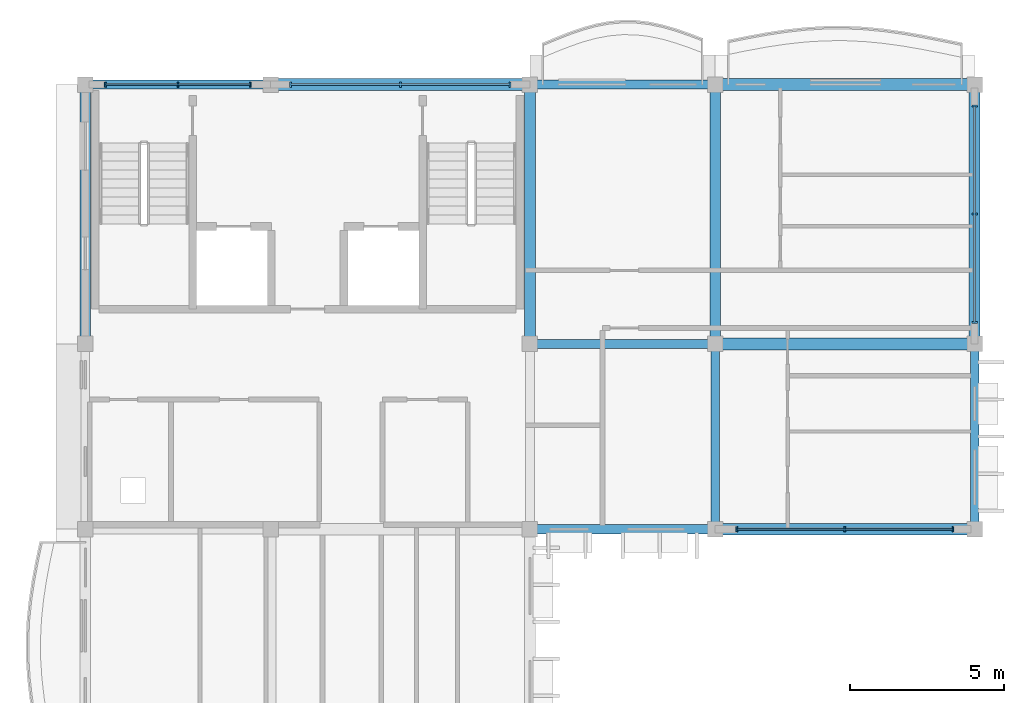
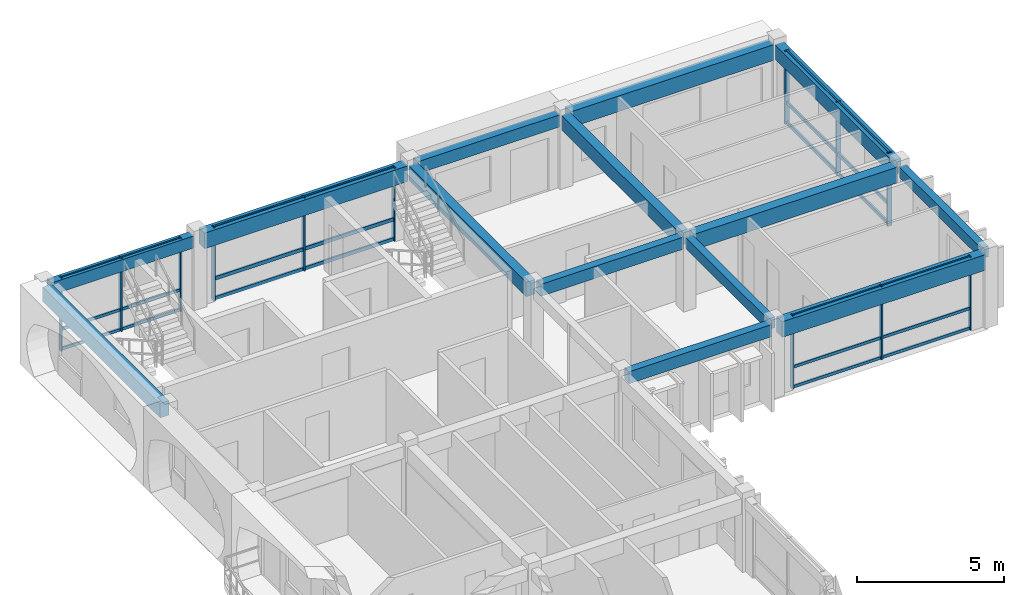
# One storey, part 3 of 10: 24 members, 14 beams, 4 elements without a shape of their own.
"""IFC4 building model written with IfcOpenShell, lengths in metres."""

from ifc_helpers import new_model, si_unit, direction, frame, origin, origin_2d, place, context, subcontext, project, spatial, rectangle, extrude, material, material_profile, profile_set, type_object, element, aggregate, save


model = new_model("IFC4")

# Units and contexts
model_context = context("Model", 3, precision=1e-05, world=origin(), true_north=direction((0.0, 1.0)))
body_context = subcontext(model_context, "Body", "Model", "MODEL_VIEW")
ifc_project = project(units=[si_unit("LENGTHUNIT", "METRE"), si_unit("AREAUNIT", "SQUARE_METRE"), si_unit("VOLUMEUNIT", "CUBIC_METRE"), si_unit("PLANEANGLEUNIT", "RADIAN"), si_unit("MASSUNIT", "GRAM", prefix="KILO"), si_unit("THERMODYNAMICTEMPERATUREUNIT", "KELVIN")], contexts=[model_context])

# Site, building, storey
site_placement = place(None, origin())
site = spatial("IfcSite", under=ifc_project, at=site_placement, CompositionType="ELEMENT")
building_placement = place(site_placement, origin())
building = spatial("IfcBuilding", under=site, at=building_placement, Name="Thalorik Housing Commons", CompositionType="ELEMENT")
storey_placement = place(building_placement, frame((0.0, 0.0, 44.39990234375)))
storey = spatial("IfcBuildingStorey", under=building, at=storey_placement, Name="L13", CompositionType="ELEMENT", Elevation=44.39990234375)

# Curtain wall, members
ifc_material_1 = material(Name="Anodised aluminium and solar-control low-E glass", Category="aluminium")
curtain_wall_type_1 = type_object("IfcCurtainWallType", Name="ARC-CW-LOUNGE", PredefinedType="USERDEFINED", material=ifc_material_1)
curtain_wall_1_placement = place(storey_placement, origin())
curtain_wall_1 = element("IfcCurtainWall", 1, at=curtain_wall_1_placement, inside=storey, type_object=curtain_wall_type_1, Name="L13 Curtain Wall CW-RES-L13-A-055", ObjectType="CURTAIN WALL", PredefinedType="USERDEFINED")
ifc_material_2 = material(Name="Anodised aluminium 6063-T6", Category="aluminium")
ifc_material_profile_1 = material_profile(ifc_material_2, rectangle(XDim=0.06005859375, YDim=0.159912109375, at=origin_2d()), Name="ALU MUL 60x160", Category="aluminium")
ifc_profile_set_1 = profile_set([ifc_material_profile_1], Name="Anodised aluminium 6063-T6")
member_type_1 = type_object("IfcMemberType", Name="ARC-CW-MUL-60x160", PredefinedType="MULLION", material=ifc_profile_set_1)
member_1_placement = place(storey_placement, frame((29.5, 109.199951171875, 0.0), z_axis=(0.0, 0.0, 1.0), x_axis=(1.0, 0.0, 0.0)))
member_1 = element("IfcMember", 2, at=member_1_placement, type_object=member_type_1, Name="CW-RES-L13-A-055 Mullion 1", PredefinedType="MULLION", context=body_context, shape_type="SweptSolid", body=[
    extrude(rectangle(XDim=0.06005859375, YDim=0.159912109375, at=origin_2d()), origin(), (0.0, 0.0, 1.0), 3.0400390625),
])
member_2_placement = place(storey_placement, frame((33.0, 109.199951171875, 0.0), z_axis=(0.0, 0.0, 1.0), x_axis=(1.0, 0.0, 0.0)))
member_2 = element("IfcMember", 3, at=member_2_placement, type_object=member_type_1, Name="CW-RES-L13-A-055 Mullion 2", PredefinedType="MULLION", context=body_context, shape_type="SweptSolid", body=[
    extrude(rectangle(XDim=0.06005859375, YDim=0.159912109375, at=origin_2d()), origin(), (0.0, 0.0, 1.0), 3.0400390625),
])
member_3_placement = place(storey_placement, frame((36.5, 109.199951171875, 0.0), z_axis=(0.0, 0.0, 1.0), x_axis=(1.0, 0.0, 0.0)))
member_3 = element("IfcMember", 4, at=member_3_placement, type_object=member_type_1, Name="CW-RES-L13-A-055 Mullion 3", PredefinedType="MULLION", context=body_context, shape_type="SweptSolid", body=[
    extrude(rectangle(XDim=0.06005859375, YDim=0.159912109375, at=origin_2d()), origin(), (0.0, 0.0, 1.0), 3.0400390625),
])

curtain_wall_type_2 = type_object("IfcCurtainWallType", Name="ARC-CW-CORE", PredefinedType="USERDEFINED", material=ifc_material_1)
curtain_wall_2_placement = place(storey_placement, origin())
curtain_wall_2 = element("IfcCurtainWall", 5, at=curtain_wall_2_placement, inside=storey, type_object=curtain_wall_type_2, Name="L13 Curtain Wall CW-CORE-L13-A-058", ObjectType="CURTAIN WALL", PredefinedType="USERDEFINED")
member_4_placement = place(storey_placement, frame((13.75, 123.60009765625, 0.0), z_axis=(0.0, 0.0, 1.0), x_axis=(-1.0, 0.0, 0.0)))
member_4 = element("IfcMember", 6, at=member_4_placement, type_object=member_type_1, Name="CW-CORE-L13-A-058 Mullion 1", PredefinedType="MULLION", context=body_context, shape_type="SweptSolid", body=[
    extrude(rectangle(XDim=0.06005859375, YDim=0.159912109375, at=origin_2d()), origin(), (0.0, 0.0, 1.0), 3.0400390625),
])
member_5_placement = place(storey_placement, frame((11.39990234375, 123.60009765625, 0.0), z_axis=(0.0, 0.0, 1.0), x_axis=(-1.0, 0.0, 0.0)))
member_5 = element("IfcMember", 7, at=member_5_placement, type_object=member_type_1, Name="CW-CORE-L13-A-058 Mullion 2", PredefinedType="MULLION", context=body_context, shape_type="SweptSolid", body=[
    extrude(rectangle(XDim=0.06005859375, YDim=0.159912109375, at=origin_2d()), origin(), (0.0, 0.0, 1.0), 3.0400390625),
])
member_6_placement = place(storey_placement, frame((9.050048828125, 123.60009765625, 0.0), z_axis=(0.0, 0.0, 1.0), x_axis=(-1.0, 0.0, 0.0)))
member_6 = element("IfcMember", 8, at=member_6_placement, type_object=member_type_1, Name="CW-CORE-L13-A-058 Mullion 3", PredefinedType="MULLION", context=body_context, shape_type="SweptSolid", body=[
    extrude(rectangle(XDim=0.06005859375, YDim=0.159912109375, at=origin_2d()), origin(), (0.0, 0.0, 1.0), 3.0400390625),
])

curtain_wall_3_placement = place(storey_placement, origin())
curtain_wall_3 = element("IfcCurtainWall", 9, at=curtain_wall_3_placement, inside=storey, type_object=curtain_wall_type_1, Name="L13 Curtain Wall CW-RES-L13-A-056", ObjectType="CURTAIN WALL", PredefinedType="USERDEFINED")
ifc_material_profile_2 = material_profile(ifc_material_2, rectangle(XDim=0.06494140625, YDim=0.179931640625, at=origin_2d()), Name="ALU MUL 65x180", Category="aluminium")
ifc_profile_set_2 = profile_set([ifc_material_profile_2], Name="Anodised aluminium 6063-T6")
member_type_2 = type_object("IfcMemberType", Name="ARC-CW-MUL-65x180", PredefinedType="MULLION", material=ifc_profile_set_2)
member_7_placement = place(storey_placement, frame((37.199951171875, 115.89990234375, 0.0), z_axis=(0.0, 0.0, 1.0), x_axis=(0.0, 1.0, 0.0)))
member_7 = element("IfcMember", 10, at=member_7_placement, type_object=member_type_2, Name="CW-RES-L13-A-056 Mullion 1", PredefinedType="MULLION", context=body_context, shape_type="SweptSolid", body=[
    extrude(rectangle(XDim=0.06494140625, YDim=0.179931640625, at=origin_2d()), origin(), (0.0, 0.0, 1.0), 3.0400390625),
])
member_8_placement = place(storey_placement, frame((37.199951171875, 119.39990234375, 0.0), z_axis=(0.0, 0.0, 1.0), x_axis=(0.0, 1.0, 0.0)))
member_8 = element("IfcMember", 11, at=member_8_placement, type_object=member_type_2, Name="CW-RES-L13-A-056 Mullion 2", PredefinedType="MULLION", context=body_context, shape_type="SweptSolid", body=[
    extrude(rectangle(XDim=0.06494140625, YDim=0.179931640625, at=origin_2d()), origin(), (0.0, 0.0, 1.0), 3.0400390625),
])
member_9_placement = place(storey_placement, frame((37.199951171875, 122.89990234375, 0.0), z_axis=(0.0, 0.0, 1.0), x_axis=(0.0, 1.0, 0.0)))
member_9 = element("IfcMember", 12, at=member_9_placement, type_object=member_type_2, Name="CW-RES-L13-A-056 Mullion 3", PredefinedType="MULLION", context=body_context, shape_type="SweptSolid", body=[
    extrude(rectangle(XDim=0.06494140625, YDim=0.179931640625, at=origin_2d()), origin(), (0.0, 0.0, 1.0), 3.0400390625),
])

curtain_wall_4_placement = place(storey_placement, origin())
curtain_wall_4 = element("IfcCurtainWall", 13, at=curtain_wall_4_placement, inside=storey, type_object=curtain_wall_type_2, Name="L13 Curtain Wall CW-CORE-L13-A-057", ObjectType="CURTAIN WALL", PredefinedType="USERDEFINED")
member_10_placement = place(storey_placement, frame((22.14990234375, 123.60009765625, 0.0), z_axis=(0.0, 0.0, 1.0), x_axis=(-1.0, 0.0, 0.0)))
member_10 = element("IfcMember", 14, at=member_10_placement, type_object=member_type_2, Name="CW-CORE-L13-A-057 Mullion 1", PredefinedType="MULLION", context=body_context, shape_type="SweptSolid", body=[
    extrude(rectangle(XDim=0.06494140625, YDim=0.179931640625, at=origin_2d()), origin(), (0.0, 0.0, 1.0), 3.0400390625),
])
member_11_placement = place(storey_placement, frame((18.60009765625, 123.60009765625, 0.0), z_axis=(0.0, 0.0, 1.0), x_axis=(-1.0, 0.0, 0.0)))
member_11 = element("IfcMember", 15, at=member_11_placement, type_object=member_type_2, Name="CW-CORE-L13-A-057 Mullion 2", PredefinedType="MULLION", context=body_context, shape_type="SweptSolid", body=[
    extrude(rectangle(XDim=0.06494140625, YDim=0.179931640625, at=origin_2d()), origin(), (0.0, 0.0, 1.0), 3.0400390625),
])
member_12_placement = place(storey_placement, frame((15.050048828125, 123.60009765625, 0.0), z_axis=(0.0, 0.0, 1.0), x_axis=(-1.0, 0.0, 0.0)))
member_12 = element("IfcMember", 16, at=member_12_placement, type_object=member_type_2, Name="CW-CORE-L13-A-057 Mullion 3", PredefinedType="MULLION", context=body_context, shape_type="SweptSolid", body=[
    extrude(rectangle(XDim=0.06494140625, YDim=0.179931640625, at=origin_2d()), origin(), (0.0, 0.0, 1.0), 3.0400390625),
])

# Member
ifc_material_profile_3 = material_profile(ifc_material_2, rectangle(XDim=0.06005859375, YDim=0.1201171875, at=origin_2d()), Name="ALU TRN 60x120", Category="aluminium")
ifc_profile_set_3 = profile_set([ifc_material_profile_3], Name="Anodised aluminium 6063-T6")
member_type_3 = type_object("IfcMemberType", Name="ARC-CW-TRN-60x120", PredefinedType="USERDEFINED", material=ifc_profile_set_3)
member_13_placement = place(storey_placement, frame((29.5, 109.199951171875, 0.05517578125), z_axis=(1.0, 0.0, 0.0), x_axis=(0.0, 1.0, 0.0)))
member_13 = element("IfcMember", 17, at=member_13_placement, type_object=member_type_3, Name="CW-RES-L13-A-055 Transom 1", ObjectType="TRANSOM", PredefinedType="USERDEFINED", context=body_context, shape_type="SweptSolid", body=[
    extrude(rectangle(XDim=0.06005859375, YDim=0.1201171875, at=origin_2d()), origin(), (0.0, 0.0, 1.0), 7.0),
])

member_14_placement = place(storey_placement, frame((29.5, 109.199951171875, 0.880126953125), z_axis=(1.0, 0.0, 0.0), x_axis=(0.0, 1.0, 0.0)))
member_14 = element("IfcMember", 18, at=member_14_placement, type_object=member_type_3, Name="CW-RES-L13-A-055 Transom 2", ObjectType="TRANSOM", PredefinedType="USERDEFINED", context=body_context, shape_type="SweptSolid", body=[
    extrude(rectangle(XDim=0.06005859375, YDim=0.1201171875, at=origin_2d()), origin(), (0.0, 0.0, 1.0), 7.0),
])

member_15_placement = place(storey_placement, frame((29.5, 109.199951171875, 2.985107421875), z_axis=(1.0, 0.0, 0.0), x_axis=(0.0, 1.0, 0.0)))
member_15 = element("IfcMember", 19, at=member_15_placement, type_object=member_type_3, Name="CW-RES-L13-A-055 Transom 3", ObjectType="TRANSOM", PredefinedType="USERDEFINED", context=body_context, shape_type="SweptSolid", body=[
    extrude(rectangle(XDim=0.06005859375, YDim=0.1201171875, at=origin_2d()), origin(), (0.0, 0.0, 1.0), 7.0),
])

aggregate(curtain_wall_1, [member_1, member_2, member_3, member_13, member_14, member_15])

member_16_placement = place(storey_placement, frame((13.75, 123.60009765625, 0.05517578125), z_axis=(-1.0, 0.0, 0.0), x_axis=(0.0, -1.0, 0.0)))
member_16 = element("IfcMember", 20, at=member_16_placement, type_object=member_type_3, Name="CW-CORE-L13-A-058 Transom 1", ObjectType="TRANSOM", PredefinedType="USERDEFINED", context=body_context, shape_type="SweptSolid", body=[
    extrude(rectangle(XDim=0.06005859375, YDim=0.1201171875, at=origin_2d()), origin(), (0.0, 0.0, 1.0), 4.699951171875),
])

member_17_placement = place(storey_placement, frame((13.75, 123.60009765625, 0.880126953125), z_axis=(-1.0, 0.0, 0.0), x_axis=(0.0, -1.0, 0.0)))
member_17 = element("IfcMember", 21, at=member_17_placement, type_object=member_type_3, Name="CW-CORE-L13-A-058 Transom 2", ObjectType="TRANSOM", PredefinedType="USERDEFINED", context=body_context, shape_type="SweptSolid", body=[
    extrude(rectangle(XDim=0.06005859375, YDim=0.1201171875, at=origin_2d()), origin(), (0.0, 0.0, 1.0), 4.699951171875),
])

member_18_placement = place(storey_placement, frame((13.75, 123.60009765625, 2.985107421875), z_axis=(-1.0, 0.0, 0.0), x_axis=(0.0, -1.0, 0.0)))
member_18 = element("IfcMember", 22, at=member_18_placement, type_object=member_type_3, Name="CW-CORE-L13-A-058 Transom 3", ObjectType="TRANSOM", PredefinedType="USERDEFINED", context=body_context, shape_type="SweptSolid", body=[
    extrude(rectangle(XDim=0.06005859375, YDim=0.1201171875, at=origin_2d()), origin(), (0.0, 0.0, 1.0), 4.699951171875),
])

aggregate(curtain_wall_2, [member_4, member_5, member_6, member_16, member_17, member_18])

ifc_material_profile_4 = material_profile(ifc_material_2, rectangle(XDim=0.06494140625, YDim=0.14990234375, at=origin_2d()), Name="ALU TRN 65x150", Category="aluminium")
ifc_profile_set_4 = profile_set([ifc_material_profile_4], Name="Anodised aluminium 6063-T6")
member_type_4 = type_object("IfcMemberType", Name="ARC-CW-TRN-65x150", PredefinedType="USERDEFINED", material=ifc_profile_set_4)
member_19_placement = place(storey_placement, frame((37.199951171875, 115.89990234375, 0.05517578125), z_axis=(0.0, 1.0, 0.0), x_axis=(-1.0, 0.0, 0.0)))
member_19 = element("IfcMember", 23, at=member_19_placement, type_object=member_type_4, Name="CW-RES-L13-A-056 Transom 1", ObjectType="TRANSOM", PredefinedType="USERDEFINED", context=body_context, shape_type="SweptSolid", body=[
    extrude(rectangle(XDim=0.06494140625, YDim=0.14990234375, at=origin_2d()), origin(), (0.0, 0.0, 1.0), 7.0),
])

member_20_placement = place(storey_placement, frame((37.199951171875, 115.89990234375, 0.880126953125), z_axis=(0.0, 1.0, 0.0), x_axis=(-1.0, 0.0, 0.0)))
member_20 = element("IfcMember", 24, at=member_20_placement, type_object=member_type_4, Name="CW-RES-L13-A-056 Transom 2", ObjectType="TRANSOM", PredefinedType="USERDEFINED", context=body_context, shape_type="SweptSolid", body=[
    extrude(rectangle(XDim=0.06494140625, YDim=0.14990234375, at=origin_2d()), origin(), (0.0, 0.0, 1.0), 7.0),
])

member_21_placement = place(storey_placement, frame((37.199951171875, 115.89990234375, 2.985107421875), z_axis=(0.0, 1.0, 0.0), x_axis=(-1.0, 0.0, 0.0)))
member_21 = element("IfcMember", 25, at=member_21_placement, type_object=member_type_4, Name="CW-RES-L13-A-056 Transom 3", ObjectType="TRANSOM", PredefinedType="USERDEFINED", context=body_context, shape_type="SweptSolid", body=[
    extrude(rectangle(XDim=0.06494140625, YDim=0.14990234375, at=origin_2d()), origin(), (0.0, 0.0, 1.0), 7.0),
])

aggregate(curtain_wall_3, [member_7, member_8, member_9, member_19, member_20, member_21])

member_22_placement = place(storey_placement, frame((22.14990234375, 123.60009765625, 0.05517578125), z_axis=(-1.0, 0.0, 0.0), x_axis=(0.0, -1.0, 0.0)))
member_22 = element("IfcMember", 26, at=member_22_placement, type_object=member_type_4, Name="CW-CORE-L13-A-057 Transom 1", ObjectType="TRANSOM", PredefinedType="USERDEFINED", context=body_context, shape_type="SweptSolid", body=[
    extrude(rectangle(XDim=0.06494140625, YDim=0.14990234375, at=origin_2d()), origin(), (0.0, 0.0, 1.0), 7.099853515625),
])

member_23_placement = place(storey_placement, frame((22.14990234375, 123.60009765625, 0.880126953125), z_axis=(-1.0, 0.0, 0.0), x_axis=(0.0, -1.0, 0.0)))
member_23 = element("IfcMember", 27, at=member_23_placement, type_object=member_type_4, Name="CW-CORE-L13-A-057 Transom 2", ObjectType="TRANSOM", PredefinedType="USERDEFINED", context=body_context, shape_type="SweptSolid", body=[
    extrude(rectangle(XDim=0.06494140625, YDim=0.14990234375, at=origin_2d()), origin(), (0.0, 0.0, 1.0), 7.099853515625),
])

member_24_placement = place(storey_placement, frame((22.14990234375, 123.60009765625, 2.985107421875), z_axis=(-1.0, 0.0, 0.0), x_axis=(0.0, -1.0, 0.0)))
member_24 = element("IfcMember", 28, at=member_24_placement, type_object=member_type_4, Name="CW-CORE-L13-A-057 Transom 3", ObjectType="TRANSOM", PredefinedType="USERDEFINED", context=body_context, shape_type="SweptSolid", body=[
    extrude(rectangle(XDim=0.06494140625, YDim=0.14990234375, at=origin_2d()), origin(), (0.0, 0.0, 1.0), 7.099853515625),
])

aggregate(curtain_wall_4, [member_10, member_11, member_12, member_22, member_23, member_24])

# Beams
ifc_material_3 = material(Name="Precast concrete C40/50", Category="concrete")
ifc_material_profile_5 = material_profile(ifc_material_3, rectangle(XDim=0.280029296875, YDim=0.449951171875, at=origin_2d()), Name="PC 280x450", Category="concrete")
ifc_profile_set_5 = profile_set([ifc_material_profile_5], Name="Precast concrete C40/50")
beam_type_1 = type_object("IfcBeamType", Name="STR-BM-PC280x450", PredefinedType="BEAM", material=ifc_profile_set_5)
for number, where, z_axis, x_axis, name in (
    (29, (28.800048828125, 109.39990234375, 2.815185546875), (0.0, 1.0, 0.0), (-1.0, 0.0, 0.0), "L13 Beam B-450"),
    (30, (37.199951171875, 109.39990234375, 2.815185546875), (0.0, 1.0, 0.0), (-1.0, 0.0, 0.0), "L13 Beam B-450"),
):
    element("IfcBeam", number, at=place(storey_placement, frame(where, z_axis=z_axis, x_axis=x_axis)), inside=storey, type_object=beam_type_1, Name=name, PredefinedType="BEAM", context=body_context, shape_type="SweptSolid", body=[
        extrude(rectangle(XDim=0.280029296875, YDim=0.449951171875, at=origin_2d()), origin(), (0.0, 0.0, 1.0), 5.60009765625),
    ])
ifc_material_profile_6 = material_profile(ifc_material_3, rectangle(XDim=0.300048828125, YDim=0.5, at=origin_2d()), Name="PC 300x500", Category="concrete")
ifc_profile_set_6 = profile_set([ifc_material_profile_6], Name="Precast concrete C40/50")
beam_type_2 = type_object("IfcBeamType", Name="STR-BM-PC300x500", PredefinedType="BEAM", material=ifc_profile_set_6)
for number, where, z_axis, x_axis, name in (
    (31, (23.0, 109.199951171875, 2.7900390625), (1.0, 0.0, 0.0), (0.0, 1.0, 0.0), "L13 Beam B-500"),
    (32, (23.0, 115.199951171875, 2.7900390625), (1.0, 0.0, 0.0), (0.0, 1.0, 0.0), "L13 Beam B-500"),
):
    element("IfcBeam", number, at=place(storey_placement, frame(where, z_axis=z_axis, x_axis=x_axis)), inside=storey, type_object=beam_type_2, Name=name, PredefinedType="BEAM", context=body_context, shape_type="SweptSolid", body=[
        extrude(rectangle(XDim=0.300048828125, YDim=0.5, at=origin_2d()), origin(), (0.0, 0.0, 1.0), 5.60009765625),
    ])
beam_1_placement = place(storey_placement, frame((8.60009765625, 123.60009765625, 2.7900390625), z_axis=(1.0, 0.0, 0.0), x_axis=(0.0, 1.0, 0.0)))
element("IfcBeam", 33, at=beam_1_placement, inside=storey, type_object=beam_type_2, Name="L13 Beam B-500", PredefinedType="BEAM", context=body_context, shape_type="SweptSolid", body=[
    extrude(rectangle(XDim=0.300048828125, YDim=0.5, at=origin_2d()), origin(), (0.0, 0.0, 1.0), 5.599853515625),
])
beam_2_placement = place(storey_placement, frame((23.0, 123.60009765625, 2.7900390625), z_axis=(1.0, 0.0, 0.0), x_axis=(0.0, 1.0, 0.0)))
element("IfcBeam", 34, at=beam_2_placement, inside=storey, type_object=beam_type_2, Name="L13 Beam B-500", PredefinedType="BEAM", context=body_context, shape_type="SweptSolid", body=[
    extrude(rectangle(XDim=0.300048828125, YDim=0.5, at=origin_2d()), origin(), (0.0, 0.0, 1.0), 5.60009765625),
])
ifc_material_profile_7 = material_profile(ifc_material_3, rectangle(XDim=0.35009765625, YDim=0.60009765625, at=origin_2d()), Name="PC 350x600", Category="concrete")
ifc_profile_set_7 = profile_set([ifc_material_profile_7], Name="Precast concrete C40/50")
beam_type_3 = type_object("IfcBeamType", Name="STR-BM-PC350x600", PredefinedType="BEAM", material=ifc_profile_set_7)
for number, where, z_axis, x_axis, name in (
    (35, (8.39990234375, 115.39990234375, 2.739990234375), (0.0, 1.0, 0.0), (-1.0, 0.0, 0.0), "L13 Beam B-600"),
    (36, (22.800048828125, 115.39990234375, 2.739990234375), (0.0, 1.0, 0.0), (-1.0, 0.0, 0.0), "L13 Beam B-600"),
    (37, (28.800048828125, 115.39990234375, 2.739990234375), (0.0, 1.0, 0.0), (-1.0, 0.0, 0.0), "L13 Beam B-600"),
    (38, (37.199951171875, 115.39990234375, 2.739990234375), (0.0, 1.0, 0.0), (-1.0, 0.0, 0.0), "L13 Beam B-600"),
):
    element("IfcBeam", number, at=place(storey_placement, frame(where, z_axis=z_axis, x_axis=x_axis)), inside=storey, type_object=beam_type_3, Name=name, PredefinedType="BEAM", context=body_context, shape_type="SweptSolid", body=[
        extrude(rectangle(XDim=0.35009765625, YDim=0.60009765625, at=origin_2d()), origin(), (0.0, 0.0, 1.0), 8.0),
    ])
ifc_material_profile_8 = material_profile(ifc_material_3, rectangle(XDim=0.3798828125, YDim=0.64990234375, at=origin_2d()), Name="PC 380x650", Category="concrete")
ifc_profile_set_8 = profile_set([ifc_material_profile_8], Name="Precast concrete C40/50")
beam_type_4 = type_object("IfcBeamType", Name="STR-BM-PC380x650", PredefinedType="BEAM", material=ifc_profile_set_8)
for number, where, z_axis, x_axis, name in (
    (39, (29.0, 109.199951171875, 2.715087890625), (1.0, 0.0, 0.0), (0.0, 1.0, 0.0), "L13 Beam B-650"),
    (40, (29.0, 115.199951171875, 2.715087890625), (1.0, 0.0, 0.0), (0.0, 1.0, 0.0), "L13 Beam B-650"),
    (41, (14.60009765625, 123.60009765625, 2.715087890625), (1.0, 0.0, 0.0), (0.0, 1.0, 0.0), "L13 Beam B-650"),
    (42, (29.0, 123.60009765625, 2.715087890625), (1.0, 0.0, 0.0), (0.0, 1.0, 0.0), "L13 Beam B-650"),
):
    element("IfcBeam", number, at=place(storey_placement, frame(where, z_axis=z_axis, x_axis=x_axis)), inside=storey, type_object=beam_type_4, Name=name, PredefinedType="BEAM", context=body_context, shape_type="SweptSolid", body=[
        extrude(rectangle(XDim=0.3798828125, YDim=0.64990234375, at=origin_2d()), origin(), (0.0, 0.0, 1.0), 8.0),
    ])

save(model, "model.ifc")
